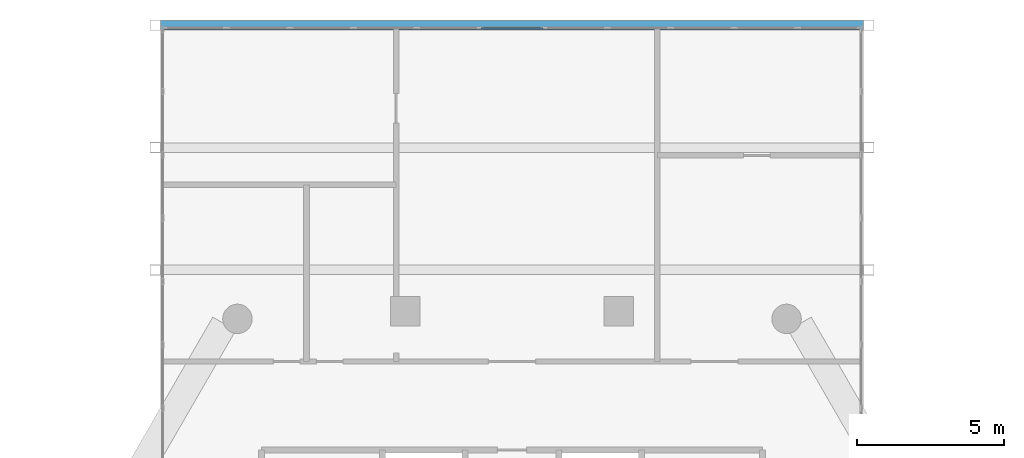
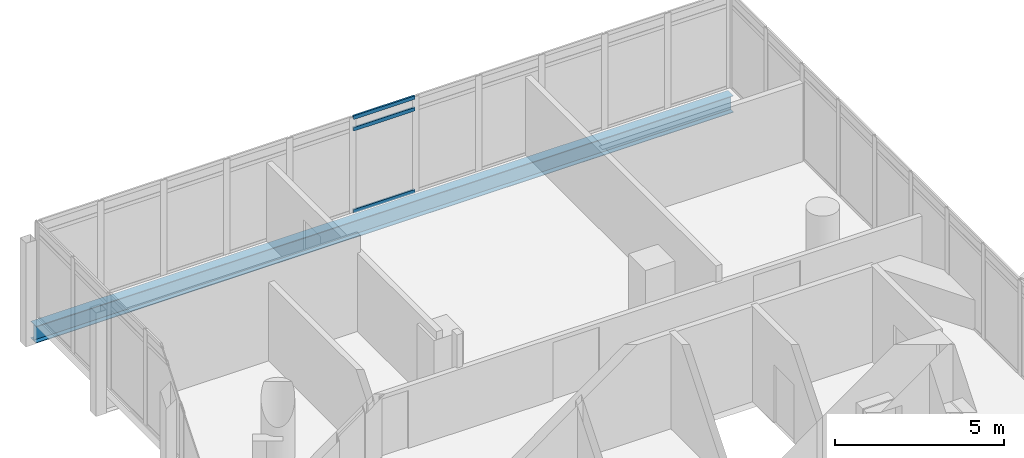
# One storey, part 21 of 37: 3 members, 1 beam, 1 element without a shape of its own.
"""IFC4 building model written with IfcOpenShell, lengths in metres."""

import ifcopenshell
import ifcopenshell.guid

model = None  # the IFC model being written
_history = None  # IfcOwnerHistory: only IFC2X3 demands one
_inside = {}  # id of a spatial element -> (the spatial element, [elements in it])
_under = {}  # id of a project, library or spatial element -> (it, [spatial elements below it])
_declared = {}  # id of a project -> (the project, [libraries it declares])
_typed = {}  # id of a type object -> (the type object, [elements of that type])
_made_of = {}  # id of a material, layer set ... -> (it, [elements and type objects made of it])


def new_model(schema):
    """Start an empty IFC model of exactly this schema.

    Asked for "IFC4X3", IfcOpenShell would pick the latest addendum, in which some entities
    have other attributes; the version numbers below select the first issue.
    IFC2X3 requires an IfcOwnerHistory on every rooted entity: one is made here for all.
    """
    global model, _history
    if schema == "IFC4X3":
        model = ifcopenshell.file(schema_version=(4, 3, 0, 0))
    else:
        model = ifcopenshell.file(schema=schema)
    _inside.clear()
    _under.clear()
    _declared.clear()
    _typed.clear()
    _made_of.clear()
    _history = None
    if model.schema == "IFC2X3":
        org = make("IfcOrganization", Name="unknown")
        user = make(
            "IfcPersonAndOrganization",
            ThePerson=make("IfcPerson", FamilyName="unknown"),
            TheOrganization=org,
        )
        app = make(
            "IfcApplication",
            ApplicationDeveloper=org,
            Version="unknown",
            ApplicationFullName="unknown",
            ApplicationIdentifier="unknown",
        )
        _history = make(
            "IfcOwnerHistory",
            OwningUser=user,
            OwningApplication=app,
            ChangeAction="ADDED",
            CreationDate=0,
        )
    return model


def make(cls, **values):
    """One entity of the class cls with the attributes given. An attribute that is None is left unset."""
    return model.create_entity(
        cls, **{name: value for name, value in values.items() if value is not None}
    )


def rooted(cls, **values):
    """An entity with a GlobalId (a new one), such as an element, a storey or a relation."""
    return make(cls, GlobalId=ifcopenshell.guid.new(), OwnerHistory=_history, **values)


def si_unit(unit_type, name, prefix=None):
    """IfcSIUnit, for example si_unit("LENGTHUNIT", "METRE", prefix="MILLI")."""
    return make("IfcSIUnit", UnitType=unit_type, Prefix=prefix, Name=name)


def assignment(units):
    """IfcUnitAssignment: the units of a project."""
    return None if units is None else make("IfcUnitAssignment", Units=units)


def point(xyz):
    """IfcCartesianPoint."""
    return None if xyz is None else make("IfcCartesianPoint", Coordinates=xyz)


def direction(xyz):
    """IfcDirection."""
    return None if xyz is None else make("IfcDirection", DirectionRatios=xyz)


def frame(location, z_axis=None, x_axis=None):
    """IfcAxis2Placement3D, a coordinate frame: its origin and axes. An axis left out is left unset."""
    return make(
        "IfcAxis2Placement3D",
        Location=point(location),
        Axis=direction(z_axis),
        RefDirection=direction(x_axis),
    )


def frame_2d(location, x_axis=None):
    """IfcAxis2Placement2D, a coordinate frame in the plane: its origin and x axis."""
    return make(
        "IfcAxis2Placement2D", Location=point(location), RefDirection=direction(x_axis)
    )


def origin():
    """The frame at (0, 0, 0) with its axes left unset."""
    return frame((0.0, 0.0, 0.0))


def origin_2d():
    """The frame at (0, 0) in the plane with its x axis left unset."""
    return frame_2d((0.0, 0.0))


def place(relative_to, where):
    """IfcLocalPlacement: puts the frame where relative to a parent placement (None: the world)."""
    return make(
        "IfcLocalPlacement", PlacementRelTo=relative_to, RelativePlacement=where
    )


def context(
    kind, dimensions, precision=None, world=None, true_north=None, identifier=None
):
    """IfcGeometricRepresentationContext, for example the 3D "Model" context."""
    return make(
        "IfcGeometricRepresentationContext",
        ContextIdentifier=identifier,
        ContextType=kind,
        CoordinateSpaceDimension=dimensions,
        Precision=precision,
        WorldCoordinateSystem=world,
        TrueNorth=true_north,
    )


def subcontext(parent, identifier, kind, view, scale=None):
    """IfcGeometricRepresentationSubContext, for example "Body" below "Model"."""
    return make(
        "IfcGeometricRepresentationSubContext",
        ContextIdentifier=identifier,
        ContextType=kind,
        ParentContext=parent,
        TargetScale=scale,
        TargetView=view,
    )


def project(units=None, contexts=None):
    """IfcProject with its units and contexts."""
    return rooted(
        "IfcProject",
        Name="project",
        RepresentationContexts=contexts,
        UnitsInContext=assignment(units),
    )


def spatial(cls, under=None, at=None, **own):
    """A site, building, storey or space (cls), placed at a placement, below another one or the project."""
    s = rooted(cls, ObjectPlacement=at, **own)
    if under is not None:
        _under.setdefault(under.id(), (under, []))[1].append(s)
    return s


def profile(cls, at=None, kind="AREA", **sizes):
    """A parametric profile (cls). Its sizes go by their IFC names, for example OverallWidth=200.0."""
    return make(cls, ProfileType=kind, Position=at, **sizes)


def hollow_rectangle(**sizes):
    """IfcRectangleHollowProfileDef."""
    return profile("IfcRectangleHollowProfileDef", **sizes)


def i_section(**sizes):
    """IfcIShapeProfileDef."""
    return profile("IfcIShapeProfileDef", **sizes)


def extrude(swept, where, along, depth):
    """IfcExtrudedAreaSolid: the profile swept, set in the frame where, extruded along a direction by depth."""
    return make(
        "IfcExtrudedAreaSolid",
        SweptArea=swept,
        Position=where,
        ExtrudedDirection=direction(along),
        Depth=depth,
    )


def shape(context_of_items, identifier, shape_type, items):
    """IfcShapeRepresentation: the items that make up one representation, for example the "Body"."""
    return make(
        "IfcShapeRepresentation",
        ContextOfItems=context_of_items,
        RepresentationIdentifier=identifier,
        RepresentationType=shape_type,
        Items=items,
    )


def material(Name=None, Category=None):
    """IfcMaterial."""
    return make("IfcMaterial", Name=Name, Category=Category)


def material_profile(
    of_material, cross_section, Name=None, Category=None, Priority=None
):
    """IfcMaterialProfile: a cross section and its material."""
    return make(
        "IfcMaterialProfile",
        Name=Name,
        Material=of_material,
        Profile=cross_section,
        Priority=Priority,
        Category=Category,
    )


def profile_set(profiles, Name=None, composite=None):
    """IfcMaterialProfileSet."""
    return make(
        "IfcMaterialProfileSet",
        Name=Name,
        MaterialProfiles=profiles,
        CompositeProfile=composite,
    )


def made_of(thing, what):
    """Note that an element or type object is made of a material, layer set ...; save() writes the relation."""
    if what is not None:
        _made_of.setdefault(what.id(), (what, []))[1].append(thing)
    return thing


def type_object(cls, material=None, **own):
    """A type object (cls), such as IfcWallType, which elements share."""
    return made_of(rooted(cls, **own), material)


def element(
    cls,
    number,
    at=None,
    inside=None,
    cuts=None,
    type_object=None,
    material=None,
    context=None,
    identifier="Body",
    shape_type=None,
    held_by="IfcProductDefinitionShape",
    body=None,
    shapes=None,
    **own,
):
    """One element of the class cls, such as IfcWall. Its Tag is "e" and its number.

    at: its placement. inside: the storey or other place that contains it. cuts: it is an
    opening in that element (IfcRelVoidsElement). A single representation is given by context,
    identifier, shape_type and body (its items); several are given by shapes. held_by: the class
    of the entity that holds the representations. save() writes the other relations.
    """
    e = rooted(cls, Tag="e%d" % number, ObjectPlacement=at, **own)
    if body is not None:
        shapes = [shape(context, identifier, shape_type, body)]
    if shapes is not None:
        e.Representation = make(held_by, Representations=shapes)
    if inside is not None:
        _inside.setdefault(inside.id(), (inside, []))[1].append(e)
    if cuts is not None:
        rooted(
            "IfcRelVoidsElement", RelatingBuildingElement=cuts, RelatedOpeningElement=e
        )
    if type_object is not None:
        _typed.setdefault(type_object.id(), (type_object, []))[1].append(e)
    return made_of(e, material)


def aggregate(whole, parts):
    """IfcRelAggregates: a whole, such as a stair, and the parts it consists of."""
    return rooted("IfcRelAggregates", RelatingObject=whole, RelatedObjects=parts)


def save(model, path):
    """Write the relations noted so far, then the file.

    IfcRelAggregates (storeys below a building ...), IfcRelContainedInSpatialStructure (elements
    in a storey), IfcRelDefinesByType, IfcRelAssociatesMaterial and IfcRelDeclares: one each for
    every whole, place, type object, material and project.
    """
    for whole, parts in _under.values():
        aggregate(whole, parts)
    for where, things in _inside.values():
        rooted(
            "IfcRelContainedInSpatialStructure",
            RelatedElements=things,
            RelatingStructure=where,
        )
    for kind, things in _typed.values():
        rooted("IfcRelDefinesByType", RelatedObjects=things, RelatingType=kind)
    for what, things in _made_of.values():
        rooted("IfcRelAssociatesMaterial", RelatedObjects=things, RelatingMaterial=what)
    for by, libraries in _declared.values():
        rooted("IfcRelDeclares", RelatingContext=by, RelatedDefinitions=libraries)
    model.write(path)


model = new_model("IFC4")

# Units and contexts
model_context = context("Model", 3, precision=1e-05, world=origin(), true_north=direction((0.0, 1.0)))
body_context = subcontext(model_context, "Body", "Model", "MODEL_VIEW")
ifc_project = project(units=[si_unit("LENGTHUNIT", "METRE"), si_unit("AREAUNIT", "SQUARE_METRE"), si_unit("VOLUMEUNIT", "CUBIC_METRE"), si_unit("PLANEANGLEUNIT", "RADIAN"), si_unit("MASSUNIT", "GRAM", prefix="KILO")], contexts=[model_context])

# Site, building, storey
site_placement = place(None, origin())
site = spatial("IfcSite", under=ifc_project, at=site_placement, CompositionType="ELEMENT")
building_placement = place(site_placement, origin())
building = spatial("IfcBuilding", under=site, at=building_placement, Name="Ostrander Bayou Hotel Tower", CompositionType="ELEMENT")
storey_placement = place(building_placement, frame((0.0, 0.0, 198.25)))
storey = spatial("IfcBuildingStorey", under=building, at=storey_placement, Name="L49", CompositionType="ELEMENT", Elevation=198.25)

# Curtain wall, members
ifc_material_1 = material(Name="Aluminium and clear glass", Category="aluminium")
curtain_wall_type = type_object("IfcCurtainWallType", Name="CW-BAR glazed wall", PredefinedType="NOTDEFINED", material=ifc_material_1)
curtain_wall_placement = place(storey_placement, origin())
curtain_wall = element("IfcCurtainWall", 1, at=curtain_wall_placement, inside=storey, type_object=curtain_wall_type, Name="CW-BAR L49:SB4N:T", PredefinedType="NOTDEFINED")
ifc_material_2 = material(Name="Aluminium", Category="aluminium")
ifc_material_profile_1 = material_profile(ifc_material_2, hollow_rectangle(XDim=0.06005859375, YDim=0.1298828125, WallThickness=0.00390625, at=origin_2d()))
ifc_profile_set_1 = profile_set([ifc_material_profile_1], Name="Aluminium")
member_type = type_object("IfcMemberType", Name="CW-BR transom 60 x 130 mm", PredefinedType="USERDEFINED", material=ifc_profile_set_1)
member_1_placement = place(storey_placement, frame((-1.0478515625, 27.916015625, 0.030029296875), z_axis=(1.0, 0.0, 0.0), x_axis=(0.0, 1.0, 0.0)))
member_1 = element("IfcMember", 2, at=member_1_placement, type_object=member_type, Name="CW-BAR transom 6.1", ObjectType="TRANSOM", PredefinedType="USERDEFINED", context=body_context, shape_type="SweptSolid", body=[
    extrude(hollow_rectangle(XDim=0.06005859375, YDim=0.1298828125, WallThickness=0.00390625, at=origin_2d()), origin(), (0.0, 0.0, 1.0), 2.095703125),
])
member_2_placement = place(storey_placement, frame((-1.0478515625, 27.916015625, 3.0), z_axis=(1.0, 0.0, 0.0), x_axis=(0.0, 1.0, 0.0)))
member_2 = element("IfcMember", 3, at=member_2_placement, type_object=member_type, Name="CW-BAR transom 6.2", ObjectType="TRANSOM", PredefinedType="USERDEFINED", context=body_context, shape_type="SweptSolid", body=[
    extrude(hollow_rectangle(XDim=0.06005859375, YDim=0.1298828125, WallThickness=0.00390625, at=origin_2d()), origin(), (0.0, 0.0, 1.0), 2.095703125),
])
member_3_placement = place(storey_placement, frame((-1.0478515625, 27.916015625, 3.419921875), z_axis=(1.0, 0.0, 0.0), x_axis=(0.0, 1.0, 0.0)))
member_3 = element("IfcMember", 4, at=member_3_placement, type_object=member_type, Name="CW-BAR transom 6.3", ObjectType="TRANSOM", PredefinedType="USERDEFINED", context=body_context, shape_type="SweptSolid", body=[
    extrude(hollow_rectangle(XDim=0.06005859375, YDim=0.1298828125, WallThickness=0.00390625, at=origin_2d()), origin(), (0.0, 0.0, 1.0), 2.095703125),
])
aggregate(curtain_wall, [member_1, member_2, member_3])

# Beam
ifc_material_3 = material(Name="Steel ASTM A992", Category="steel")
ifc_material_profile_2 = material_profile(ifc_material_3, i_section(OverallWidth=0.32373046875, OverallDepth=0.611083984375, WebThickness=0.0126953125, FlangeThickness=0.01904296875, at=origin_2d()))
ifc_profile_set_2 = profile_set([ifc_material_profile_2], Name="Steel ASTM A992")
beam_type = type_object("IfcBeamType", Name="TF2 bar floor beam W24x104", PredefinedType="BEAM", material=ifc_profile_set_2)
beam_placement = place(storey_placement, frame((-11.93212890625, 28.01611328125, -0.605712890625), z_axis=(1.0, 0.0, 0.0), x_axis=(0.0, 1.0, 0.0)))
element("IfcBeam", 5, at=beam_placement, inside=storey, type_object=beam_type, Name="TF2 SB4W L2-1", PredefinedType="BEAM", context=body_context, shape_type="SweptSolid", body=[
    extrude(i_section(OverallWidth=0.32373046875, OverallDepth=0.611083984375, WebThickness=0.0126953125, FlangeThickness=0.01904296875, at=origin_2d()), origin(), (0.0, 0.0, 1.0), 23.8642578125),
])

save(model, "model.ifc")
